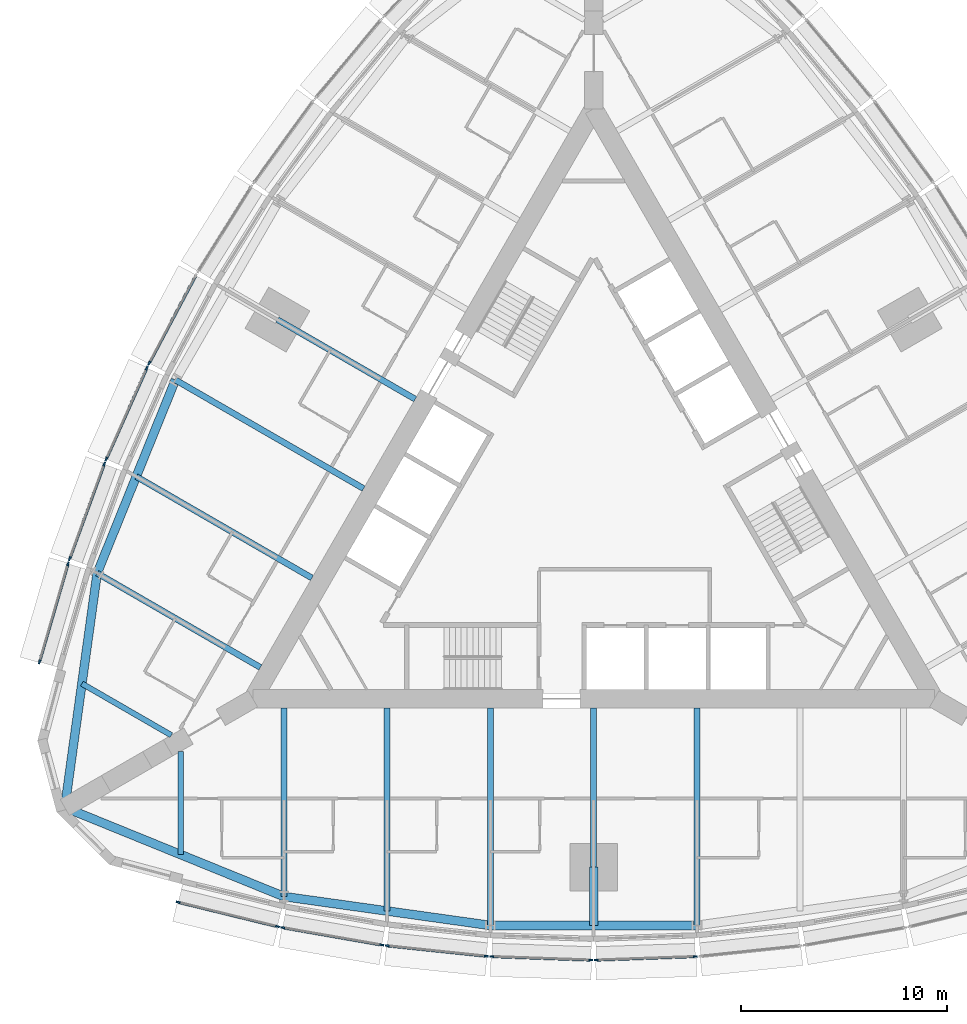
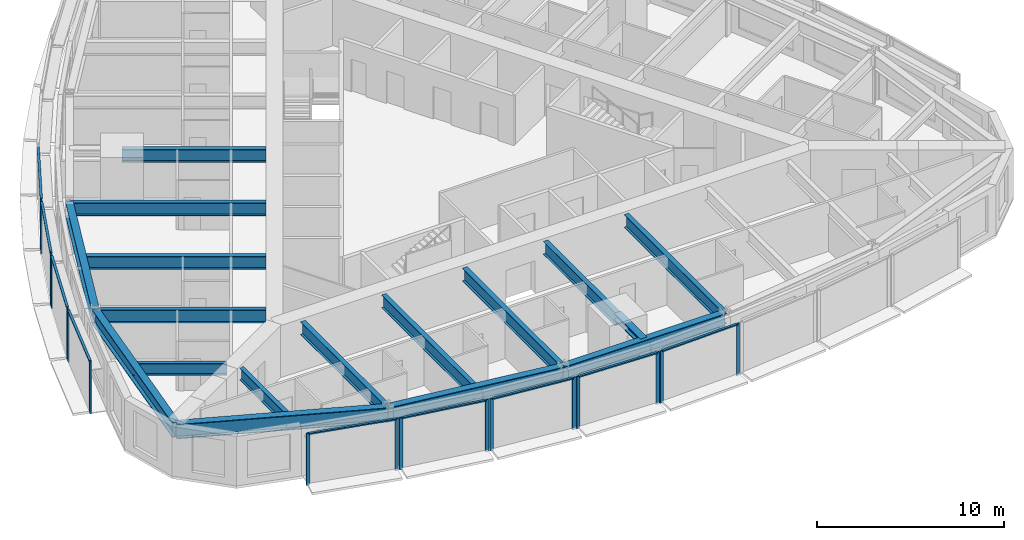
# One storey, part 2 of 14: 26 members, 17 beams, 9 elements without a shape of their own.
"""IFC4 building model written with IfcOpenShell, lengths in metres."""

from ifc_helpers import new_model, si_unit, direction, frame, origin, origin_2d, place, context, subcontext, project, spatial, rectangle, i_section, extrude, material, material_profile, profile_set, type_object, element, aggregate, save


model = new_model("IFC4")

# Units and contexts
model_context = context("Model", 3, precision=1e-05, world=origin(), true_north=direction((0.0, 1.0)))
body_context = subcontext(model_context, "Body", "Model", "MODEL_VIEW")
ifc_project = project(units=[si_unit("LENGTHUNIT", "METRE"), si_unit("AREAUNIT", "SQUARE_METRE"), si_unit("VOLUMEUNIT", "CUBIC_METRE"), si_unit("PLANEANGLEUNIT", "RADIAN"), si_unit("MASSUNIT", "GRAM", prefix="KILO")], contexts=[model_context])

# Site, building, storey
site_placement = place(None, origin())
site = spatial("IfcSite", under=ifc_project, at=site_placement, CompositionType="ELEMENT")
building_placement = place(site_placement, origin())
building = spatial("IfcBuilding", under=site, at=building_placement, Name="Trikona Tower", CompositionType="ELEMENT")
storey_placement = place(building_placement, frame((0.0, 0.0, 121.5)))
storey = spatial("IfcBuildingStorey", under=building, at=storey_placement, Name="L31", CompositionType="ELEMENT", Elevation=121.5)

# Curtain wall, members
ifc_material_1 = material(Name="Aluminium curtain wall system", Category="aluminium")
curtain_wall_type = type_object("IfcCurtainWallType", Name="Curtain wall DS2", PredefinedType="NOTDEFINED", material=ifc_material_1)
curtain_wall_1_placement = place(storey_placement, origin())
curtain_wall_1 = element("IfcCurtainWall", 1, at=curtain_wall_1_placement, inside=storey, type_object=curtain_wall_type, Name="Curtain wall DS2 L31", PredefinedType="NOTDEFINED")
ifc_material_2 = material(Name="Aluminium mullion, pale anodised", Category="aluminium")
ifc_material_profile_1 = material_profile(ifc_material_2, rectangle(XDim=0.080078125, YDim=0.199951171875, at=origin_2d()), Name="MUL-DS2")
ifc_profile_set_1 = profile_set([ifc_material_profile_1], Name="Aluminium mullion, pale anodised")
member_type_1 = type_object("IfcMemberType", Name="Mullion DS2 80x200", PredefinedType="MULLION", material=ifc_profile_set_1)
member_1_placement = place(storey_placement, frame((-20.116943359375, -19.373046875, 0.0), z_axis=(0.0, 0.0, 1.0), x_axis=(0.237970204243, 0.971272455026, 0.0)))
member_1 = element("IfcMember", 2, at=member_1_placement, type_object=member_type_1, Name="CW-DS2 mullion 1", PredefinedType="MULLION", context=body_context, shape_type="SweptSolid", body=[
    extrude(rectangle(XDim=0.080078125, YDim=0.199951171875, at=origin_2d()), origin(), (0.0, 0.0, 1.0), 3.39990234375),
])
member_2_placement = place(storey_placement, frame((-15.311279296875, -20.550537109375, 0.0), z_axis=(0.0, 0.0, 1.0), x_axis=(0.237970204243, 0.971272455026, 0.0)))
member_2 = element("IfcMember", 3, at=member_2_placement, type_object=member_type_1, Name="CW-DS2 mullion 2", PredefinedType="MULLION", context=body_context, shape_type="SweptSolid", body=[
    extrude(rectangle(XDim=0.080078125, YDim=0.199951171875, at=origin_2d()), origin(), (0.0, 0.0, 1.0), 3.39990234375),
])

curtain_wall_2_placement = place(storey_placement, origin())
curtain_wall_2 = element("IfcCurtainWall", 4, at=curtain_wall_2_placement, inside=storey, type_object=curtain_wall_type, Name="Curtain wall DS2 L31", PredefinedType="NOTDEFINED")
member_3_placement = place(storey_placement, frame((-15.056640625, -20.60400390625, 0.0), z_axis=(0.0, 0.0, 1.0), x_axis=(0.17237739505, 0.985030981074, 0.0)))
member_3 = element("IfcMember", 5, at=member_3_placement, type_object=member_type_1, Name="CW-DS2 mullion 1", PredefinedType="MULLION", context=body_context, shape_type="SweptSolid", body=[
    extrude(rectangle(XDim=0.080078125, YDim=0.199951171875, at=origin_2d()), origin(), (0.0, 0.0, 1.0), 3.39990234375),
])
member_4_placement = place(storey_placement, frame((-10.253662109375, -21.444580078125, 0.0), z_axis=(0.0, 0.0, 1.0), x_axis=(0.17237739505, 0.985030981074, 0.0)))
member_4 = element("IfcMember", 6, at=member_4_placement, type_object=member_type_1, Name="CW-DS2 mullion 2", PredefinedType="MULLION", context=body_context, shape_type="SweptSolid", body=[
    extrude(rectangle(XDim=0.080078125, YDim=0.199951171875, at=origin_2d()), origin(), (0.0, 0.0, 1.0), 3.39990234375),
])

curtain_wall_3_placement = place(storey_placement, origin())
curtain_wall_3 = element("IfcCurtainWall", 7, at=curtain_wall_3_placement, inside=storey, type_object=curtain_wall_type, Name="Curtain wall DS2 L31", PredefinedType="NOTDEFINED")
member_5_placement = place(storey_placement, frame((-9.99462890625, -21.480712890625, 0.0), z_axis=(0.0, 0.0, 1.0), x_axis=(0.104433387357, 0.994531883654, 0.0)))
member_5 = element("IfcMember", 8, at=member_5_placement, type_object=member_type_1, Name="CW-DS2 mullion 1", PredefinedType="MULLION", context=body_context, shape_type="SweptSolid", body=[
    extrude(rectangle(XDim=0.080078125, YDim=0.199951171875, at=origin_2d()), origin(), (0.0, 0.0, 1.0), 3.39990234375),
])
member_6_placement = place(storey_placement, frame((-5.193359375, -21.98486328125, 0.0), z_axis=(0.0, 0.0, 1.0), x_axis=(0.104433387357, 0.994531883654, 0.0)))
member_6 = element("IfcMember", 9, at=member_6_placement, type_object=member_type_1, Name="CW-DS2 mullion 2", PredefinedType="MULLION", context=body_context, shape_type="SweptSolid", body=[
    extrude(rectangle(XDim=0.080078125, YDim=0.199951171875, at=origin_2d()), origin(), (0.0, 0.0, 1.0), 3.39990234375),
])

curtain_wall_4_placement = place(storey_placement, origin())
curtain_wall_4 = element("IfcCurtainWall", 10, at=curtain_wall_4_placement, inside=storey, type_object=curtain_wall_type, Name="Curtain wall DS2 L31", PredefinedType="NOTDEFINED")
member_7_placement = place(storey_placement, frame((-4.931640625, -22.003173828125, 0.0), z_axis=(0.0, 0.0, 1.0), x_axis=(0.034998320052, 0.99938737114, 0.0)))
member_7 = element("IfcMember", 11, at=member_7_placement, type_object=member_type_1, Name="CW-DS2 mullion 1", PredefinedType="MULLION", context=body_context, shape_type="SweptSolid", body=[
    extrude(rectangle(XDim=0.080078125, YDim=0.199951171875, at=origin_2d()), origin(), (0.0, 0.0, 1.0), 3.39990234375),
])
member_8_placement = place(storey_placement, frame((-0.13134765625, -22.171142578125, 0.0), z_axis=(0.0, 0.0, 1.0), x_axis=(0.034998320052, 0.99938737114, 0.0)))
member_8 = element("IfcMember", 12, at=member_8_placement, type_object=member_type_1, Name="CW-DS2 mullion 2", PredefinedType="MULLION", context=body_context, shape_type="SweptSolid", body=[
    extrude(rectangle(XDim=0.080078125, YDim=0.199951171875, at=origin_2d()), origin(), (0.0, 0.0, 1.0), 3.39990234375),
])

curtain_wall_5_placement = place(storey_placement, origin())
curtain_wall_5 = element("IfcCurtainWall", 13, at=curtain_wall_5_placement, inside=storey, type_object=curtain_wall_type, Name="Curtain wall DS2 L31", PredefinedType="NOTDEFINED")
member_9_placement = place(storey_placement, frame((0.13134765625, -22.171142578125, 0.0), z_axis=(0.0, 0.0, 1.0), x_axis=(-0.034998320052, 0.99938737114, 0.0)))
member_9 = element("IfcMember", 14, at=member_9_placement, type_object=member_type_1, Name="CW-DS2 mullion 1", PredefinedType="MULLION", context=body_context, shape_type="SweptSolid", body=[
    extrude(rectangle(XDim=0.080078125, YDim=0.199951171875, at=origin_2d()), origin(), (0.0, 0.0, 1.0), 3.39990234375),
])
member_10_placement = place(storey_placement, frame((4.931640625, -22.003173828125, 0.0), z_axis=(0.0, 0.0, 1.0), x_axis=(-0.034998320052, 0.99938737114, 0.0)))
member_10 = element("IfcMember", 15, at=member_10_placement, type_object=member_type_1, Name="CW-DS2 mullion 2", PredefinedType="MULLION", context=body_context, shape_type="SweptSolid", body=[
    extrude(rectangle(XDim=0.080078125, YDim=0.199951171875, at=origin_2d()), origin(), (0.0, 0.0, 1.0), 3.39990234375),
])

# Curtain wall, member
curtain_wall_6_placement = place(storey_placement, origin())
curtain_wall_6 = element("IfcCurtainWall", 16, at=curtain_wall_6_placement, inside=storey, type_object=curtain_wall_type, Name="Curtain wall DS2 L31", PredefinedType="NOTDEFINED")
member_11_placement = place(storey_placement, frame((-21.52099609375, 6.730712890625, 0.0), z_axis=(0.0, 0.0, 1.0), x_axis=(0.882996107343, -0.469380308937, 0.0)))
member_11 = element("IfcMember", 17, at=member_11_placement, type_object=member_type_1, Name="CW-DS2 mullion 2", PredefinedType="MULLION", context=body_context, shape_type="SweptSolid", body=[
    extrude(rectangle(XDim=0.080078125, YDim=0.199951171875, at=origin_2d()), origin(), (0.0, 0.0, 1.0), 3.39990234375),
])

# Curtain wall, members
curtain_wall_7_placement = place(storey_placement, origin())
curtain_wall_7 = element("IfcCurtainWall", 18, at=curtain_wall_7_placement, inside=storey, type_object=curtain_wall_type, Name="Curtain wall DS2 L31", PredefinedType="NOTDEFINED")
member_12_placement = place(storey_placement, frame((-21.63623046875, 6.494873046875, 0.0), z_axis=(0.0, 0.0, 1.0), x_axis=(0.913501208767, -0.406836013132, 0.0)))
member_12 = element("IfcMember", 19, at=member_12_placement, type_object=member_type_1, Name="CW-DS2 mullion 1", PredefinedType="MULLION", context=body_context, shape_type="SweptSolid", body=[
    extrude(rectangle(XDim=0.080078125, YDim=0.199951171875, at=origin_2d()), origin(), (0.0, 0.0, 1.0), 3.39990234375),
])
member_13_placement = place(storey_placement, frame((-23.60009765625, 2.0849609375, 0.0), z_axis=(0.0, 0.0, 1.0), x_axis=(0.913501208767, -0.406836013132, 0.0)))
member_13 = element("IfcMember", 20, at=member_13_placement, type_object=member_type_1, Name="CW-DS2 mullion 2", PredefinedType="MULLION", context=body_context, shape_type="SweptSolid", body=[
    extrude(rectangle(XDim=0.080078125, YDim=0.199951171875, at=origin_2d()), origin(), (0.0, 0.0, 1.0), 3.39990234375),
])

curtain_wall_8_placement = place(storey_placement, origin())
curtain_wall_8 = element("IfcCurtainWall", 21, at=curtain_wall_8_placement, inside=storey, type_object=curtain_wall_type, Name="Curtain wall DS2 L31", PredefinedType="NOTDEFINED")
member_14_placement = place(storey_placement, frame((-23.6982421875, 1.84228515625, 0.0), z_axis=(0.0, 0.0, 1.0), x_axis=(0.939253790978, -0.343223420143, 0.0)))
member_14 = element("IfcMember", 22, at=member_14_placement, type_object=member_type_1, Name="CW-DS2 mullion 1", PredefinedType="MULLION", context=body_context, shape_type="SweptSolid", body=[
    extrude(rectangle(XDim=0.080078125, YDim=0.199951171875, at=origin_2d()), origin(), (0.0, 0.0, 1.0), 3.39990234375),
])
member_15_placement = place(storey_placement, frame((-25.371826171875, -2.737548828125, 0.0), z_axis=(0.0, 0.0, 1.0), x_axis=(0.939253790978, -0.343223420143, 0.0)))
member_15 = element("IfcMember", 23, at=member_15_placement, type_object=member_type_1, Name="CW-DS2 mullion 2", PredefinedType="MULLION", context=body_context, shape_type="SweptSolid", body=[
    extrude(rectangle(XDim=0.080078125, YDim=0.199951171875, at=origin_2d()), origin(), (0.0, 0.0, 1.0), 3.39990234375),
])

curtain_wall_9_placement = place(storey_placement, origin())
curtain_wall_9 = element("IfcCurtainWall", 24, at=curtain_wall_9_placement, inside=storey, type_object=curtain_wall_type, Name="Curtain wall DS2 L31", PredefinedType="NOTDEFINED")
member_16_placement = place(storey_placement, frame((-25.452880859375, -2.984619140625, 0.0), z_axis=(0.0, 0.0, 1.0), x_axis=(0.96013310152, -0.279543247757, 0.0)))
member_16 = element("IfcMember", 25, at=member_16_placement, type_object=member_type_1, Name="CW-DS2 mullion 1", PredefinedType="MULLION", context=body_context, shape_type="SweptSolid", body=[
    extrude(rectangle(XDim=0.080078125, YDim=0.199951171875, at=origin_2d()), origin(), (0.0, 0.0, 1.0), 3.39990234375),
])
member_17_placement = place(storey_placement, frame((-26.836181640625, -7.7353515625, 0.0), z_axis=(0.0, 0.0, 1.0), x_axis=(0.96013310152, -0.279543247757, 0.0)))
member_17 = element("IfcMember", 26, at=member_17_placement, type_object=member_type_1, Name="CW-DS2 mullion 2", PredefinedType="MULLION", context=body_context, shape_type="SweptSolid", body=[
    extrude(rectangle(XDim=0.080078125, YDim=0.199951171875, at=origin_2d()), origin(), (0.0, 0.0, 1.0), 3.39990234375),
])

# Beams
ifc_material_3 = material(Name="Steel ASTM A992 Grade 50", Category="steel")
ifc_material_profile_2 = material_profile(ifc_material_3, i_section(OverallWidth=0.419189453125, OverallDepth=0.45458984375, WebThickness=0.042236328125, FlangeThickness=0.067626953125, at=origin_2d()), Name="W14X370")
ifc_profile_set_2 = profile_set([ifc_material_profile_2], Name="Steel ASTM A992 Grade 50")
beam_type_1 = type_object("IfcBeamType", Name="Steel beam W14x370 (apex bracket)", PredefinedType="BEAM", material=ifc_profile_set_2)
beam_1_placement = place(storey_placement, frame((0.0, -17.680419921875, 3.0078125), z_axis=(0.0, -1.0, 0.0), x_axis=(1.0, 0.0, 0.0)))
element("IfcBeam", 27, at=beam_1_placement, inside=storey, type_object=beam_type_1, Name="Cantilever bracket L32 F1", PredefinedType="BEAM", context=body_context, shape_type="SweptSolid", body=[
    extrude(i_section(OverallWidth=0.419189453125, OverallDepth=0.45458984375, WebThickness=0.042236328125, FlangeThickness=0.067626953125, at=origin_2d()), origin(), (0.0, 0.0, 1.0), 2.81982421875),
])
ifc_material_4 = material(Name="Steel ASTM A992 Grade 50", Category="steel")
ifc_material_profile_3 = material_profile(ifc_material_4, i_section(OverallWidth=0.2666015625, OverallDepth=0.76953125, WebThickness=0.015625, FlangeThickness=0.025390625, at=origin_2d()), Name="W30X132")
ifc_profile_set_3 = profile_set([ifc_material_profile_3], Name="Steel ASTM A992 Grade 50")
beam_type_2 = type_object("IfcBeamType", Name="Steel beam W30x132 (wedge)", PredefinedType="BEAM", material=ifc_profile_set_3)
beam_2_placement = place(storey_placement, frame((-20.0, -12.066650390625, 2.85009765625), z_axis=(0.0, -1.0, 0.0), x_axis=(1.0, 0.0, 0.0)))
element("IfcBeam", 28, at=beam_2_placement, inside=storey, type_object=beam_type_2, Name="Floor beam L32 F1 u-20", PredefinedType="BEAM", context=body_context, shape_type="SweptSolid", body=[
    extrude(i_section(OverallWidth=0.2666015625, OverallDepth=0.76953125, WebThickness=0.015625, FlangeThickness=0.025390625, at=origin_2d()), origin(), (0.0, 0.0, 1.0), 5.00048828125),
])
beam_3_placement = place(storey_placement, frame((-20.449951171875, -11.287109375, 2.85009765625), z_axis=(-0.866038434829, 0.49997742889, 0.0), x_axis=(-0.49997742889, -0.866038434829, 0.0)))
element("IfcBeam", 29, at=beam_3_placement, inside=storey, type_object=beam_type_2, Name="Floor beam L32 F3 u20", PredefinedType="BEAM", context=body_context, shape_type="SweptSolid", body=[
    extrude(i_section(OverallWidth=0.2666015625, OverallDepth=0.76953125, WebThickness=0.015625, FlangeThickness=0.025390625, at=origin_2d()), origin(), (0.0, 0.0, 1.0), 5.000732421875),
])
ifc_material_5 = material(Name="Steel ASTM A992 Grade 50", Category="steel")
ifc_material_profile_4 = material_profile(ifc_material_5, i_section(OverallWidth=0.2919921875, OverallDepth=0.845703125, WebThickness=0.015380859375, FlangeThickness=0.0244140625, at=origin_2d()), Name="W33X141")
ifc_profile_set_4 = profile_set([ifc_material_profile_4], Name="Steel ASTM A992 Grade 50")
beam_type_3 = type_object("IfcBeamType", Name="Steel beam W33x141 (radial typ)", PredefinedType="BEAM", material=ifc_profile_set_4)
beam_4_placement = place(storey_placement, frame((-15.0, -9.976318359375, 2.81201171875), z_axis=(0.0, -1.0, 0.0), x_axis=(1.0, 0.0, 0.0)))
element("IfcBeam", 30, at=beam_4_placement, inside=storey, type_object=beam_type_3, Name="Floor beam L32 F1 u-15", PredefinedType="BEAM", context=body_context, shape_type="SweptSolid", body=[
    extrude(i_section(OverallWidth=0.2919921875, OverallDepth=0.845703125, WebThickness=0.015380859375, FlangeThickness=0.0244140625, at=origin_2d()), origin(), (0.0, 0.0, 1.0), 9.123779296875),
])
beam_5_placement = place(storey_placement, frame((-10.0, -9.976318359375, 2.81201171875), z_axis=(0.0, -1.0, 0.0), x_axis=(1.0, 0.0, 0.0)))
element("IfcBeam", 31, at=beam_5_placement, inside=storey, type_object=beam_type_3, Name="Floor beam L32 F1 u-10", PredefinedType="BEAM", context=body_context, shape_type="SweptSolid", body=[
    extrude(i_section(OverallWidth=0.2919921875, OverallDepth=0.845703125, WebThickness=0.015380859375, FlangeThickness=0.0244140625, at=origin_2d()), origin(), (0.0, 0.0, 1.0), 9.823974609375),
])
beam_6_placement = place(storey_placement, frame((-5.0, -9.976318359375, 2.81201171875), z_axis=(0.0, -1.0, 0.0), x_axis=(1.0, 0.0, 0.0)))
element("IfcBeam", 32, at=beam_6_placement, inside=storey, type_object=beam_type_3, Name="Floor beam L32 F1 u-5", PredefinedType="BEAM", context=body_context, shape_type="SweptSolid", body=[
    extrude(i_section(OverallWidth=0.2919921875, OverallDepth=0.845703125, WebThickness=0.015380859375, FlangeThickness=0.0244140625, at=origin_2d()), origin(), (0.0, 0.0, 1.0), 10.52392578125),
])
beam_7_placement = place(storey_placement, frame((0.0, -9.976318359375, 2.81201171875), z_axis=(0.0, -1.0, 0.0), x_axis=(1.0, 0.0, 0.0)))
element("IfcBeam", 33, at=beam_7_placement, inside=storey, type_object=beam_type_3, Name="Floor beam L32 F1 u0", PredefinedType="BEAM", context=body_context, shape_type="SweptSolid", body=[
    extrude(i_section(OverallWidth=0.2919921875, OverallDepth=0.845703125, WebThickness=0.015380859375, FlangeThickness=0.0244140625, at=origin_2d()), origin(), (0.0, 0.0, 1.0), 7.7041015625),
])
beam_8_placement = place(storey_placement, frame((5.0, -9.976318359375, 2.81201171875), z_axis=(0.0, -1.0, 0.0), x_axis=(1.0, 0.0, 0.0)))
element("IfcBeam", 34, at=beam_8_placement, inside=storey, type_object=beam_type_3, Name="Floor beam L32 F1 u5", PredefinedType="BEAM", context=body_context, shape_type="SweptSolid", body=[
    extrude(i_section(OverallWidth=0.2919921875, OverallDepth=0.845703125, WebThickness=0.015380859375, FlangeThickness=0.0244140625, at=origin_2d()), origin(), (0.0, 0.0, 1.0), 10.52392578125),
])
beam_9_placement = place(storey_placement, frame((-8.6396484375, 4.988037109375, 2.81201171875), z_axis=(-0.866017246294, 0.500014128921, 0.0), x_axis=(-0.500014128921, -0.866017246294, 0.0)))
element("IfcBeam", 35, at=beam_9_placement, inside=storey, type_object=beam_type_3, Name="Floor beam L32 F3 u0", PredefinedType="BEAM", context=body_context, shape_type="SweptSolid", body=[
    extrude(i_section(OverallWidth=0.2919921875, OverallDepth=0.845703125, WebThickness=0.015380859375, FlangeThickness=0.0244140625, at=origin_2d()), origin(), (0.0, 0.0, 1.0), 7.704345703125),
])
beam_10_placement = place(storey_placement, frame((-11.1396484375, 0.657958984375, 2.81201171875), z_axis=(-0.866026035623, 0.499998905622, 0.0), x_axis=(-0.499998905622, -0.866026035623, 0.0)))
element("IfcBeam", 36, at=beam_10_placement, inside=storey, type_object=beam_type_3, Name="Floor beam L32 F3 u5", PredefinedType="BEAM", context=body_context, shape_type="SweptSolid", body=[
    extrude(i_section(OverallWidth=0.2919921875, OverallDepth=0.845703125, WebThickness=0.015380859375, FlangeThickness=0.0244140625, at=origin_2d()), origin(), (0.0, 0.0, 1.0), 10.52392578125),
])
beam_11_placement = place(storey_placement, frame((-13.6396484375, -3.672119140625, 2.81201171875), z_axis=(-0.866020046725, 0.500009278584, 0.0), x_axis=(-0.500009278584, -0.866020046725, 0.0)))
element("IfcBeam", 37, at=beam_11_placement, inside=storey, type_object=beam_type_3, Name="Floor beam L32 F3 u10", PredefinedType="BEAM", context=body_context, shape_type="SweptSolid", body=[
    extrude(i_section(OverallWidth=0.2919921875, OverallDepth=0.845703125, WebThickness=0.015380859375, FlangeThickness=0.0244140625, at=origin_2d()), origin(), (0.0, 0.0, 1.0), 9.823974609375),
])
beam_12_placement = place(storey_placement, frame((-16.1396484375, -8.002197265625, 2.81201171875), z_axis=(-0.866024725532, 0.500001174766, 0.0), x_axis=(-0.500001174766, -0.866024725532, 0.0)))
element("IfcBeam", 38, at=beam_12_placement, inside=storey, type_object=beam_type_3, Name="Floor beam L32 F3 u15", PredefinedType="BEAM", context=body_context, shape_type="SweptSolid", body=[
    extrude(i_section(OverallWidth=0.2919921875, OverallDepth=0.845703125, WebThickness=0.015380859375, FlangeThickness=0.0244140625, at=origin_2d()), origin(), (0.0, 0.0, 1.0), 9.1240234375),
])
ifc_material_6 = material(Name="Steel ASTM A992 Grade 50", Category="steel")
ifc_material_profile_5 = material_profile(ifc_material_6, i_section(OverallWidth=0.424072265625, OverallDepth=0.947509765625, WebThickness=0.02392578125, FlangeThickness=0.042724609375, at=origin_2d()), Name="W36X302")
ifc_profile_set_5 = profile_set([ifc_material_profile_5], Name="Steel ASTM A992 Grade 50")
beam_type_4 = type_object("IfcBeamType", Name="Steel beam W36x302 (spandrel)", PredefinedType="SPANDREL", material=ifc_profile_set_5)
beam_13_placement = place(storey_placement, frame((-25.6103515625, -14.7861328125, 2.76123046875), z_axis=(0.926359695662, -0.376640032728, 0.0), x_axis=(0.376640032728, 0.926359695662, 0.0)))
element("IfcBeam", 39, at=beam_13_placement, inside=storey, type_object=beam_type_4, Name="Spandrel beam L32 F1-1", PredefinedType="SPANDREL", context=body_context, shape_type="SweptSolid", body=[
    extrude(i_section(OverallWidth=0.424072265625, OverallDepth=0.947509765625, WebThickness=0.02392578125, FlangeThickness=0.042724609375, at=origin_2d()), origin(), (0.0, 0.0, 1.0), 11.453857421875),
])
beam_14_placement = place(storey_placement, frame((-15.0, -19.10009765625, 2.76123046875), z_axis=(0.990339754644, -0.13866207258, 0.0), x_axis=(0.13866207258, 0.990339754644, 0.0)))
element("IfcBeam", 40, at=beam_14_placement, inside=storey, type_object=beam_type_4, Name="Spandrel beam L32 F1-2", PredefinedType="SPANDREL", context=body_context, shape_type="SweptSolid", body=[
    extrude(i_section(OverallWidth=0.424072265625, OverallDepth=0.947509765625, WebThickness=0.02392578125, FlangeThickness=0.042724609375, at=origin_2d()), origin(), (0.0, 0.0, 1.0), 10.09765625),
])
beam_15_placement = place(storey_placement, frame((-5.0, -20.500244140625, 2.76123046875), z_axis=(1.0, 0.0, 0.0), x_axis=(0.0, 1.0, 0.0)))
element("IfcBeam", 41, at=beam_15_placement, inside=storey, type_object=beam_type_4, Name="Spandrel beam L32 F1-3", PredefinedType="SPANDREL", context=body_context, shape_type="SweptSolid", body=[
    extrude(i_section(OverallWidth=0.424072265625, OverallDepth=0.947509765625, WebThickness=0.02392578125, FlangeThickness=0.042724609375, at=origin_2d()), origin(), (0.0, 0.0, 1.0), 10.0),
])
beam_16_placement = place(storey_placement, frame((-20.253662109375, 5.919921875, 2.76123046875), z_axis=(-0.375106193787, -0.926981846307, 0.0), x_axis=(0.926981846307, -0.375106193787, 0.0)))
element("IfcBeam", 42, at=beam_16_placement, inside=storey, type_object=beam_type_4, Name="Spandrel beam L32 F3-4", PredefinedType="SPANDREL", context=body_context, shape_type="SweptSolid", body=[
    extrude(i_section(OverallWidth=0.424072265625, OverallDepth=0.947509765625, WebThickness=0.02392578125, FlangeThickness=0.042724609375, at=origin_2d()), origin(), (0.0, 0.0, 1.0), 10.097412109375),
])
beam_17_placement = place(storey_placement, frame((-24.041259765625, -3.440185546875, 2.76123046875), z_axis=(-0.136991535842, -0.990572218017, 0.0), x_axis=(0.990572218017, -0.136991535842, 0.0)))
element("IfcBeam", 43, at=beam_17_placement, inside=storey, type_object=beam_type_4, Name="Spandrel beam L32 F3-5", PredefinedType="SPANDREL", context=body_context, shape_type="SweptSolid", body=[
    extrude(i_section(OverallWidth=0.424072265625, OverallDepth=0.947509765625, WebThickness=0.02392578125, FlangeThickness=0.042724609375, at=origin_2d()), origin(), (0.0, 0.0, 1.0), 11.453857421875),
])

# Member
ifc_material_7 = material(Name="Aluminium transom, pale anodised", Category="aluminium")
ifc_material_profile_6 = material_profile(ifc_material_7, rectangle(XDim=0.139892578125, YDim=0.080078125, at=origin_2d()), Name="TRN-DS2")
ifc_profile_set_6 = profile_set([ifc_material_profile_6], Name="Aluminium transom, pale anodised")
member_type_2 = type_object("IfcMemberType", Name="Transom DS2 80x140", PredefinedType="USERDEFINED", material=ifc_profile_set_6)
member_18_placement = place(storey_placement, frame((-20.078125, -19.382568359375, 3.360107421875), z_axis=(0.971270583303, -0.237977843528, 0.0), x_axis=(0.237977843528, 0.971270583303, 0.0)))
member_18 = element("IfcMember", 44, at=member_18_placement, type_object=member_type_2, Name="CW-DS2 transom 1.1", ObjectType="TRANSOM", PredefinedType="USERDEFINED", context=body_context, shape_type="SweptSolid", body=[
    extrude(rectangle(XDim=0.139892578125, YDim=0.080078125, at=origin_2d()), origin(), (0.0, 0.0, 1.0), 4.867919921875),
])

aggregate(curtain_wall_1, [member_1, member_2, member_18])

member_19_placement = place(storey_placement, frame((-15.01708984375, -20.61083984375, 3.360107421875), z_axis=(0.98503262804, -0.172367983387, 0.0), x_axis=(0.172367983387, 0.98503262804, 0.0)))
member_19 = element("IfcMember", 45, at=member_19_placement, type_object=member_type_2, Name="CW-DS2 transom 1.1", ObjectType="TRANSOM", PredefinedType="USERDEFINED", context=body_context, shape_type="SweptSolid", body=[
    extrude(rectangle(XDim=0.139892578125, YDim=0.080078125, at=origin_2d()), origin(), (0.0, 0.0, 1.0), 4.7958984375),
])

aggregate(curtain_wall_2, [member_3, member_4, member_19])

member_20_placement = place(storey_placement, frame((-9.954833984375, -21.48486328125, 3.360107421875), z_axis=(0.99453106441, -0.104441188822, 0.0), x_axis=(0.104441188822, 0.99453106441, 0.0)))
member_20 = element("IfcMember", 46, at=member_20_placement, type_object=member_type_2, Name="CW-DS2 transom 1.1", ObjectType="TRANSOM", PredefinedType="USERDEFINED", context=body_context, shape_type="SweptSolid", body=[
    extrude(rectangle(XDim=0.139892578125, YDim=0.080078125, at=origin_2d()), origin(), (0.0, 0.0, 1.0), 4.74755859375),
])

aggregate(curtain_wall_3, [member_5, member_6, member_20])

member_21_placement = place(storey_placement, frame((-4.8916015625, -22.00439453125, 3.360107421875), z_axis=(0.999385692759, -0.035046213908, 0.0), x_axis=(0.035046213908, 0.999385692759, 0.0)))
member_21 = element("IfcMember", 47, at=member_21_placement, type_object=member_type_2, Name="CW-DS2 transom 1.1", ObjectType="TRANSOM", PredefinedType="USERDEFINED", context=body_context, shape_type="SweptSolid", body=[
    extrude(rectangle(XDim=0.139892578125, YDim=0.080078125, at=origin_2d()), origin(), (0.0, 0.0, 1.0), 4.72314453125),
])

aggregate(curtain_wall_4, [member_7, member_8, member_21])

member_22_placement = place(storey_placement, frame((0.17138671875, -22.169921875, 3.360107421875), z_axis=(0.999385692759, 0.035046213908, 0.0), x_axis=(-0.035046213908, 0.999385692759, 0.0)))
member_22 = element("IfcMember", 48, at=member_22_placement, type_object=member_type_2, Name="CW-DS2 transom 1.1", ObjectType="TRANSOM", PredefinedType="USERDEFINED", context=body_context, shape_type="SweptSolid", body=[
    extrude(rectangle(XDim=0.139892578125, YDim=0.080078125, at=origin_2d()), origin(), (0.0, 0.0, 1.0), 4.72314453125),
])

aggregate(curtain_wall_5, [member_9, member_10, member_22])

member_23_placement = place(storey_placement, frame((-19.285400390625, 10.9365234375, 3.360107421875), z_axis=(-0.469364343408, -0.883004594063, 0.0), x_axis=(0.883004594063, -0.469364343408, 0.0)))
member_23 = element("IfcMember", 49, at=member_23_placement, type_object=member_type_2, Name="CW-DS2 transom 1.1", ObjectType="TRANSOM", PredefinedType="USERDEFINED", context=body_context, shape_type="SweptSolid", body=[
    extrude(rectangle(XDim=0.139892578125, YDim=0.080078125, at=origin_2d()), origin(), (0.0, 0.0, 1.0), 4.722900390625),
])

aggregate(curtain_wall_6, [member_11, member_23])

member_24_placement = place(storey_placement, frame((-21.65234375, 6.458251953125, 3.360107421875), z_axis=(-0.406839769607, -0.913499535778, 0.0), x_axis=(0.913499535778, -0.406839769607, 0.0)))
member_24 = element("IfcMember", 50, at=member_24_placement, type_object=member_type_2, Name="CW-DS2 transom 1.1", ObjectType="TRANSOM", PredefinedType="USERDEFINED", context=body_context, shape_type="SweptSolid", body=[
    extrude(rectangle(XDim=0.139892578125, YDim=0.080078125, at=origin_2d()), origin(), (0.0, 0.0, 1.0), 4.747314453125),
])

aggregate(curtain_wall_7, [member_12, member_13, member_24])

member_25_placement = place(storey_placement, frame((-23.712158203125, 1.8046875, 3.360107421875), z_axis=(-0.343205907674, -0.939260190223, 0.0), x_axis=(0.939260190223, -0.343205907674, 0.0)))
member_25 = element("IfcMember", 51, at=member_25_placement, type_object=member_type_2, Name="CW-DS2 transom 1.1", ObjectType="TRANSOM", PredefinedType="USERDEFINED", context=body_context, shape_type="SweptSolid", body=[
    extrude(rectangle(XDim=0.139892578125, YDim=0.080078125, at=origin_2d()), origin(), (0.0, 0.0, 1.0), 4.7958984375),
])

aggregate(curtain_wall_8, [member_14, member_15, member_25])

member_26_placement = place(storey_placement, frame((-25.464111328125, -3.023193359375, 3.360107421875), z_axis=(-0.279566628153, -0.960126293996, 0.0), x_axis=(0.960126293996, -0.279566628153, 0.0)))
member_26 = element("IfcMember", 52, at=member_26_placement, type_object=member_type_2, Name="CW-DS2 transom 1.1", ObjectType="TRANSOM", PredefinedType="USERDEFINED", context=body_context, shape_type="SweptSolid", body=[
    extrude(rectangle(XDim=0.139892578125, YDim=0.080078125, at=origin_2d()), origin(), (0.0, 0.0, 1.0), 4.86767578125),
])

aggregate(curtain_wall_9, [member_16, member_17, member_26])

save(model, "model.ifc")
